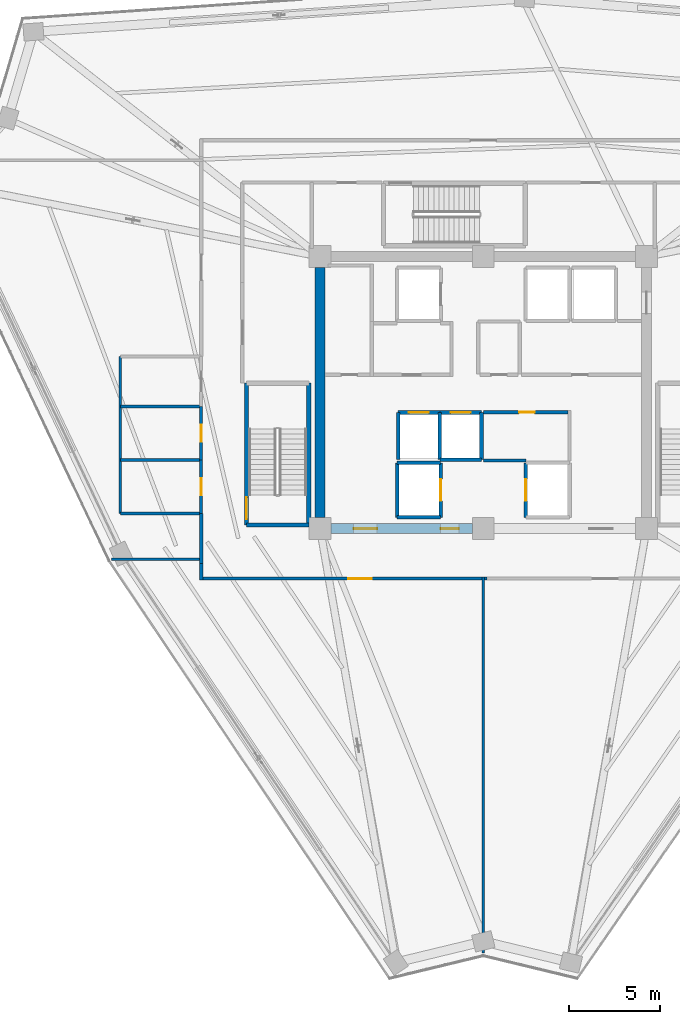
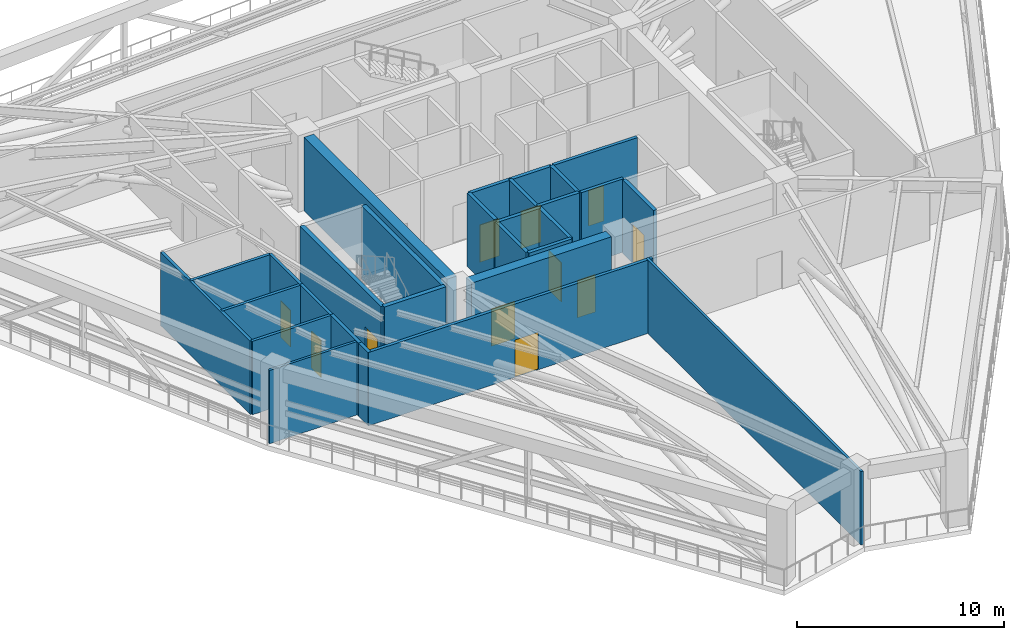
# One storey, part 14 of 22: 29 walls, 11 doors, 11 openings.
"""IFC4 building model written with IfcOpenShell, lengths in metres."""

from ifc_helpers import new_model, si_unit, direction, frame, frame_2d, origin, place, context, subcontext, project, spatial, rectangle, extrude, source, transform, mapped, material, layer, layer_set, type_object, element, fill, save


model = new_model("IFC4")

# Units and contexts
model_context = context("Model", 3, precision=1e-05, world=origin(), true_north=direction((0.0, 1.0)))
body_context = subcontext(model_context, "Body", "Model", "MODEL_VIEW")
ifc_project = project(units=[si_unit("LENGTHUNIT", "METRE"), si_unit("AREAUNIT", "SQUARE_METRE"), si_unit("VOLUMEUNIT", "CUBIC_METRE"), si_unit("PLANEANGLEUNIT", "RADIAN"), si_unit("MASSUNIT", "GRAM", prefix="KILO")], contexts=[model_context])

# Site, building, storey
site_placement = place(None, origin())
site = spatial("IfcSite", under=ifc_project, at=site_placement, CompositionType="ELEMENT")
building_placement = place(site_placement, origin())
building = spatial("IfcBuilding", under=site, at=building_placement, Name="Liaohun Quay Tower", CompositionType="ELEMENT")
storey_placement = place(building_placement, frame((0.0, 0.0, 324.0)))
storey = spatial("IfcBuildingStorey", under=building, at=storey_placement, Name="L84", CompositionType="ELEMENT", Elevation=324.0)

# Wall, openings, doors
ifc_material_1 = material(Name="Concrete C50", Category="concrete")
ifc_layer_1 = layer(ifc_material_1, 0.550048828125, Name="Concrete C50", Category="concrete")
ifc_layer_set_1 = layer_set([ifc_layer_1], Name="Concrete C50")
wall_type_1 = type_object("IfcWallType", Name="WAL-COR-Z4", PredefinedType="SHEAR", material=ifc_layer_set_1)
wall_1_placement = place(storey_placement, frame((59.39990234375, 46.5, 0.0), z_axis=(0.0, 0.0, 1.0), x_axis=(-1.0, 0.0, 0.0)))
wall_1 = element("IfcWall", 1, at=wall_1_placement, inside=storey, type_object=wall_type_1, Name="L84 Central Core Shear Wall S-W", PredefinedType="SHEAR", context=body_context, shape_type="SweptSolid", body=[
    extrude(rectangle(XDim=7.7998046875, YDim=0.550048828125, at=frame_2d((3.89990234375, 0.0))), origin(), (0.0, 0.0, 1.0), 4.320068359375),
])
shared_shape_1 = source(origin(), body_context, "Body", "SweptSolid", [
    extrude(rectangle(XDim=1.300048828125, YDim=2.199951171875, at=frame_2d((0.64990234375, 1.10009765625))), frame((0.0, 0.284912109375, 0.0), z_axis=(0.0, -1.0, 0.0), x_axis=(1.0, 0.0, 0.0)), (0.0, 0.0, 1.0), 0.570068359375),
])
opening_1_placement = place(wall_1_placement, frame((5.25, 0.0, 0.0)))
opening_1 = element("IfcOpeningElement", 2, at=opening_1_placement, cuts=wall_1, Name="Opening FD1", PredefinedType="OPENING", context=body_context, shape_type="MappedRepresentation", body=[
    mapped(shared_shape_1, transform((0.0, 0.0, 0.0), x_axis=(1.0, 0.0, 0.0), y_axis=(0.0, 1.0, 0.0), z_axis=(0.0, 0.0, 1.0), scale=1.0)),
])
shared_shape_2 = source(origin(), body_context, "Body", "SweptSolid", [
    extrude(rectangle(XDim=1.0, YDim=2.199951171875, at=frame_2d((0.5, 1.10009765625))), frame((0.0, 0.284912109375, 0.0), z_axis=(0.0, -1.0, 0.0), x_axis=(1.0, 0.0, 0.0)), (0.0, 0.0, 1.0), 0.570068359375),
])
opening_2_placement = place(wall_1_placement, frame((0.75, 0.0, 0.0)))
opening_2 = element("IfcOpeningElement", 3, at=opening_2_placement, cuts=wall_1, Name="Opening FD2", PredefinedType="OPENING", context=body_context, shape_type="MappedRepresentation", body=[
    mapped(shared_shape_2, transform((0.0, 0.0, 0.0), x_axis=(1.0, 0.0, 0.0), y_axis=(0.0, 1.0, 0.0), z_axis=(0.0, 0.0, 1.0), scale=1.0)),
])
ifc_material_2 = material(Name="Galvanised steel smokeproof fire door", Category="steel")
door_type_1 = type_object("IfcDoorType", Name="DOR-FFL-1300", OperationType="NOTDEFINED", PredefinedType="DOOR", material=ifc_material_2)
shared_shape_3 = source(origin(), body_context, "Body", "SweptSolid", [
    extrude(rectangle(XDim=1.300048828125, YDim=2.199951171875, at=frame_2d((0.64990234375, 1.10009765625))), frame((0.0, 0.02490234375, 0.0), z_axis=(0.0, -1.0, 0.0), x_axis=(1.0, 0.0, 0.0)), (0.0, 0.0, 1.0), 0.050048828125),
])
door_1_placement = place(opening_1_placement, origin())
door_1 = element("IfcDoor", 4, at=door_1_placement, inside=storey, type_object=door_type_1, Name="L84 West Core Lift Lobby Smokeproof Door", OperationType="SINGLE_SWING_RIGHT", OverallHeight=2.199951171875, OverallWidth=1.300048828125, PredefinedType="DOOR", context=body_context, shape_type="MappedRepresentation", body=[
    mapped(shared_shape_3, transform((0.0, 0.0, 0.0), x_axis=(1.0, 0.0, 0.0), y_axis=(0.0, 1.0, 0.0), z_axis=(0.0, 0.0, 1.0), scale=1.0)),
])
fill(opening_1, door_1)
ifc_material_3 = material(Name="Galvanised steel smokeproof lobby fire door", Category="steel")
door_type_2 = type_object("IfcDoorType", Name="DOR-FFL-1000", OperationType="NOTDEFINED", PredefinedType="DOOR", material=ifc_material_3)
shared_shape_4 = source(origin(), body_context, "Body", "SweptSolid", [
    extrude(rectangle(XDim=1.0, YDim=2.199951171875, at=frame_2d((0.5, 1.10009765625))), frame((0.0, 0.02490234375, 0.0), z_axis=(0.0, -1.0, 0.0), x_axis=(1.0, 0.0, 0.0)), (0.0, 0.0, 1.0), 0.050048828125),
])
door_2_placement = place(opening_2_placement, origin())
door_2 = element("IfcDoor", 5, at=door_2_placement, inside=storey, type_object=door_type_2, Name="L84 South Firefighting Lobby Smokeproof Door", OperationType="SINGLE_SWING_LEFT", OverallHeight=2.199951171875, OverallWidth=1.0, PredefinedType="DOOR", context=body_context, shape_type="MappedRepresentation", body=[
    mapped(shared_shape_4, transform((0.0, 0.0, 0.0), x_axis=(1.0, 0.0, 0.0), y_axis=(0.0, 1.0, 0.0), z_axis=(0.0, 0.0, 1.0), scale=1.0)),
])
fill(opening_2, door_2)

# Wall
wall_2_placement = place(storey_placement, frame((51.0, 47.10009765625, 0.0), z_axis=(0.0, 0.0, 1.0), x_axis=(0.0, 1.0, 0.0)))
element("IfcWall", 6, at=wall_2_placement, inside=storey, type_object=wall_type_1, Name="L84 Central Core Shear Wall W", PredefinedType="SHEAR", context=body_context, shape_type="SweptSolid", body=[
    extrude(rectangle(XDim=13.7998046875, YDim=0.550048828125, at=frame_2d((6.89990234375, 0.0))), origin(), (0.0, 0.0, 1.0), 4.320068359375),
])

# Wall, opening, door
ifc_material_4 = material(Name="Autoclaved aerated concrete blockwork", Category="masonry")
ifc_layer_2 = layer(ifc_material_4, 0.179931640625, Name="Autoclaved aerated concrete blockwork", Category="masonry")
ifc_layer_set_2 = layer_set([ifc_layer_2], Name="Autoclaved aerated concrete blockwork")
wall_type_2 = type_object("IfcWallType", Name="WAL-PRT-COR", PredefinedType="PARTITIONING", material=ifc_layer_set_2)
wall_3_placement = place(storey_placement, frame((60.0, 52.919921875, 0.0), z_axis=(0.0, 0.0, 1.0), x_axis=(1.0, 0.0, 0.0)))
wall_3 = element("IfcWall", 7, at=wall_3_placement, inside=storey, type_object=wall_type_2, Name="L84 Interior Partition Wall 001", PredefinedType="PARTITIONING", context=body_context, shape_type="SweptSolid", body=[
    extrude(rectangle(XDim=4.659912109375, YDim=0.179931640625, at=frame_2d((2.330078125, 0.0))), origin(), (0.0, 0.0, 1.0), 4.320068359375),
])
shared_shape_5 = source(origin(), body_context, "Body", "SweptSolid", [
    extrude(rectangle(XDim=0.85009765625, YDim=2.10009765625, at=frame_2d((0.425048828125, 1.050048828125))), frame((0.0, 0.099853515625, 0.0), z_axis=(0.0, -1.0, 0.0), x_axis=(1.0, 0.0, 0.0)), (0.0, 0.0, 1.0), 0.199951171875),
])
opening_3_placement = place(wall_3_placement, frame((1.97509765625, 0.0, 0.0)))
opening_3 = element("IfcOpeningElement", 8, at=opening_3_placement, cuts=wall_3, Name="Opening AD1", PredefinedType="OPENING", context=body_context, shape_type="MappedRepresentation", body=[
    mapped(shared_shape_5, transform((0.0, 0.0, 0.0), x_axis=(1.0, 0.0, 0.0), y_axis=(0.0, 1.0, 0.0), z_axis=(0.0, 0.0, 1.0), scale=1.0)),
])
ifc_material_5 = material(Name="Steel riser inspection fire door", Category="steel")
door_type_3 = type_object("IfcDoorType", Name="DOR-SHF-850", OperationType="NOTDEFINED", PredefinedType="DOOR", material=ifc_material_5)
shared_shape_6 = source(origin(), body_context, "Body", "SweptSolid", [
    extrude(rectangle(XDim=0.85009765625, YDim=2.10009765625, at=frame_2d((0.425048828125, 1.050048828125))), frame((0.0, 0.02490234375, 0.0), z_axis=(0.0, -1.0, 0.0), x_axis=(1.0, 0.0, 0.0)), (0.0, 0.0, 1.0), 0.050048828125),
])
door_3_placement = place(opening_3_placement, origin())
door_3 = element("IfcDoor", 9, at=door_3_placement, inside=storey, type_object=door_type_3, Name="L84 Core High-Zone BMS and Switch Room Door", OperationType="SINGLE_SWING_RIGHT", OverallHeight=2.10009765625, OverallWidth=0.85009765625, PredefinedType="DOOR", context=body_context, shape_type="MappedRepresentation", body=[
    mapped(shared_shape_6, transform((0.0, 0.0, 0.0), x_axis=(1.0, 0.0, 0.0), y_axis=(0.0, 1.0, 0.0), z_axis=(0.0, 0.0, 1.0), scale=1.0)),
])
fill(opening_3, door_3)

wall_4_placement = place(storey_placement, frame((60.215087890625, 43.739990234375, 0.0), z_axis=(0.0, 0.0, 1.0), x_axis=(-1.0, 0.0, 0.0)))
wall_4 = element("IfcWall", 10, at=wall_4_placement, inside=storey, type_object=wall_type_2, Name="L84 Interior Partition Wall 016", PredefinedType="PARTITIONING", context=body_context, shape_type="SweptSolid", body=[
    extrude(rectangle(XDim=15.844970703125, YDim=0.179931640625, at=frame_2d((7.92236328125, 0.0))), origin(), (0.0, 0.0, 1.0), 4.320068359375),
])
shared_shape_7 = source(origin(), body_context, "Body", "SweptSolid", [
    extrude(rectangle(XDim=1.300048828125, YDim=2.199951171875, at=frame_2d((0.64990234375, 1.10009765625))), frame((0.0, 0.099853515625, 0.0), z_axis=(0.0, -1.0, 0.0), x_axis=(1.0, 0.0, 0.0)), (0.0, 0.0, 1.0), 0.199951171875),
])
opening_4_placement = place(wall_4_placement, frame((6.373046875, 0.0, 0.0)))
opening_4 = element("IfcOpeningElement", 11, at=opening_4_placement, cuts=wall_4, Name="Opening FD1", PredefinedType="OPENING", context=body_context, shape_type="MappedRepresentation", body=[
    mapped(shared_shape_7, transform((0.0, 0.0, 0.0), x_axis=(1.0, 0.0, 0.0), y_axis=(0.0, 1.0, 0.0), z_axis=(0.0, 0.0, 1.0), scale=1.0)),
])
door_4_placement = place(opening_4_placement, origin())
door_4 = element("IfcDoor", 12, at=door_4_placement, inside=storey, type_object=door_type_1, Name="L84 North Open-Air Refuge Staging Area Door", OperationType="SINGLE_SWING_LEFT", OverallHeight=2.199951171875, OverallWidth=1.300048828125, PredefinedType="DOOR", context=body_context, shape_type="MappedRepresentation", body=[
    mapped(shared_shape_3, transform((0.0, 0.0, 0.0), x_axis=(1.0, 0.0, 0.0), y_axis=(0.0, 1.0, 0.0), z_axis=(0.0, 0.0, 1.0), scale=1.0)),
])
fill(opening_4, door_4)

# Walls
wall_5_placement = place(storey_placement, frame((44.43994140625, 44.5849609375, 0.0), z_axis=(0.0, 0.0, 1.0), x_axis=(0.0, 1.0, 0.0)))
element("IfcWall", 13, at=wall_5_placement, inside=storey, type_object=wall_type_2, Name="L84 Interior Partition Wall 034", PredefinedType="PARTITIONING", context=body_context, shape_type="SweptSolid", body=[
    extrude(rectangle(XDim=2.755126953125, YDim=0.179931640625, at=frame_2d((1.37744140625, 0.0))), origin(), (0.0, 0.0, 1.0), 4.320068359375),
])
wall_6_placement = place(storey_placement, frame((44.43994140625, 43.669921875, 0.0), z_axis=(0.0, 0.0, 1.0), x_axis=(0.0, 1.0, 0.0)))
element("IfcWall", 14, at=wall_6_placement, inside=storey, type_object=wall_type_2, Name="L84 Interior Partition Wall 035", PredefinedType="PARTITIONING", context=body_context, shape_type="SweptSolid", body=[
    extrude(rectangle(XDim=0.9150390625, YDim=0.179931640625, at=frame_2d((0.45751953125, 0.0))), origin(), (0.0, 0.0, 1.0), 4.320068359375),
])
wall_7_placement = place(storey_placement, frame((60.0, 50.25, 0.0), z_axis=(0.0, 0.0, 1.0), x_axis=(1.0, 0.0, 0.0)))
element("IfcWall", 15, at=wall_7_placement, inside=storey, type_object=wall_type_2, Name="L84 Interior Partition Wall 043", PredefinedType="PARTITIONING", context=body_context, shape_type="SweptSolid", body=[
    extrude(rectangle(XDim=2.35009765625, YDim=0.179931640625, at=frame_2d((1.175048828125, 0.0))), origin(), (0.0, 0.0, 1.0), 4.320068359375),
])
ifc_material_6 = material(Name="Gypsum board on twin steel studs", Category="steel")
ifc_layer_3 = layer(ifc_material_6, 0.139892578125, Name="Gypsum board on twin steel studs", Category="steel")
ifc_layer_set_3 = layer_set([ifc_layer_3], Name="Gypsum board on twin steel studs")
wall_type_3 = type_object("IfcWallType", Name="WAL-PRT-OFF", PredefinedType="PARTITIONING", material=ifc_layer_set_3)
wall_8_placement = place(storey_placement, frame((44.5400390625, 44.800048828125, 0.0), z_axis=(0.0, 0.0, 1.0), x_axis=(-1.0, 0.0, 0.0)))
element("IfcWall", 16, at=wall_8_placement, inside=storey, type_object=wall_type_3, Name="L84 Interior Partition Wall 037", PredefinedType="PARTITIONING", context=body_context, shape_type="SweptSolid", body=[
    extrude(rectangle(XDim=5.053955078125, YDim=0.139892578125, at=frame_2d((2.52685546875, 0.0))), origin(), (0.0, 0.0, 1.0), 4.320068359375),
])
wall_9_placement = place(storey_placement, frame((60.0, 43.840087890625, 0.0), z_axis=(0.0, 0.0, 1.0), x_axis=(0.0, -1.0, 0.0)))
element("IfcWall", 17, at=wall_9_placement, inside=storey, type_object=wall_type_3, Name="L84 Interior Partition Wall 041", PredefinedType="PARTITIONING", context=body_context, shape_type="SweptSolid", body=[
    extrude(rectangle(XDim=20.753173828125, YDim=0.139892578125, at=frame_2d((10.37646484375, 0.0))), origin(), (0.0, 0.0, 1.0), 4.320068359375),
])

# Wall, opening, door
ifc_material_7 = material(Name="Moisture-resistant masonry blockwork", Category="masonry")
ifc_layer_4 = layer(ifc_material_7, 0.159912109375, Name="Moisture-resistant masonry blockwork", Category="masonry")
ifc_layer_set_4 = layer_set([ifc_layer_4], Name="Moisture-resistant masonry blockwork")
wall_type_4 = type_object("IfcWallType", Name="WAL-PRT-WET", PredefinedType="PARTITIONING", material=ifc_layer_set_4)
wall_10_placement = place(storey_placement, frame((44.43994140625, 47.340087890625, 0.0), z_axis=(0.0, 0.0, 1.0), x_axis=(0.0, 1.0, 0.0)))
wall_10 = element("IfcWall", 18, at=wall_10_placement, inside=storey, type_object=wall_type_4, Name="L84 Interior Partition Wall 006", PredefinedType="PARTITIONING", context=body_context, shape_type="SweptSolid", body=[
    extrude(rectangle(XDim=2.93994140625, YDim=0.159912109375, at=frame_2d((1.469970703125, 0.0))), origin(), (0.0, 0.0, 1.0), 4.320068359375),
])
shared_shape_8 = source(origin(), body_context, "Body", "SweptSolid", [
    extrude(rectangle(XDim=0.949951171875, YDim=2.14990234375, at=frame_2d((0.47509765625, 1.074951171875))), frame((0.0, 0.08984375, 0.0), z_axis=(0.0, -1.0, 0.0), x_axis=(1.0, 0.0, 0.0)), (0.0, 0.0, 1.0), 0.179931640625),
])
opening_5_placement = place(wall_10_placement, frame((0.9951171875, 0.0, 0.0)))
opening_5 = element("IfcOpeningElement", 19, at=opening_5_placement, cuts=wall_10, Name="Opening WD1", PredefinedType="OPENING", context=body_context, shape_type="MappedRepresentation", body=[
    mapped(shared_shape_8, transform((0.0, 0.0, 0.0), x_axis=(1.0, 0.0, 0.0), y_axis=(0.0, 1.0, 0.0), z_axis=(0.0, 0.0, 1.0), scale=1.0)),
])
ifc_material_8 = material(Name="Moisture-resistant laminate timber leaf", Category="wood")
door_type_4 = type_object("IfcDoorType", Name="DOR-WC-950", OperationType="NOTDEFINED", PredefinedType="DOOR", material=ifc_material_8)
shared_shape_9 = source(origin(), body_context, "Body", "SweptSolid", [
    extrude(rectangle(XDim=0.949951171875, YDim=2.14990234375, at=frame_2d((0.47509765625, 1.074951171875))), frame((0.0, 0.02490234375, 0.0), z_axis=(0.0, -1.0, 0.0), x_axis=(1.0, 0.0, 0.0)), (0.0, 0.0, 1.0), 0.050048828125),
])
door_5_placement = place(opening_5_placement, origin())
door_5 = element("IfcDoor", 20, at=door_5_placement, inside=storey, type_object=door_type_4, Name="L84 Male Restroom WC Door", OperationType="SINGLE_SWING_LEFT", OverallHeight=2.14990234375, OverallWidth=0.949951171875, PredefinedType="DOOR", context=body_context, shape_type="MappedRepresentation", body=[
    mapped(shared_shape_9, transform((0.0, 0.0, 0.0), x_axis=(1.0, 0.0, 0.0), y_axis=(0.0, 1.0, 0.0), z_axis=(0.0, 0.0, 1.0), scale=1.0)),
])
fill(opening_5, door_5)

wall_11_placement = place(storey_placement, frame((44.43994140625, 50.280029296875, 0.0), z_axis=(0.0, 0.0, 1.0), x_axis=(0.0, 1.0, 0.0)))
wall_11 = element("IfcWall", 21, at=wall_11_placement, inside=storey, type_object=wall_type_4, Name="L84 Interior Partition Wall 007", PredefinedType="PARTITIONING", context=body_context, shape_type="SweptSolid", body=[
    extrude(rectangle(XDim=2.9599609375, YDim=0.159912109375, at=frame_2d((1.47998046875, 0.0))), origin(), (0.0, 0.0, 1.0), 4.320068359375),
])
opening_6_placement = place(wall_11_placement, frame((1.0048828125, 0.0, 0.0)))
opening_6 = element("IfcOpeningElement", 22, at=opening_6_placement, cuts=wall_11, Name="Opening WD1", PredefinedType="OPENING", context=body_context, shape_type="MappedRepresentation", body=[
    mapped(shared_shape_8, transform((0.0, 0.0, 0.0), x_axis=(1.0, 0.0, 0.0), y_axis=(0.0, 1.0, 0.0), z_axis=(0.0, 0.0, 1.0), scale=1.0)),
])
door_6_placement = place(opening_6_placement, origin())
door_6 = element("IfcDoor", 23, at=door_6_placement, inside=storey, type_object=door_type_4, Name="L84 Female Restroom WC Door", OperationType="SINGLE_SWING_RIGHT", OverallHeight=2.14990234375, OverallWidth=0.949951171875, PredefinedType="DOOR", context=body_context, shape_type="MappedRepresentation", body=[
    mapped(shared_shape_9, transform((0.0, 0.0, 0.0), x_axis=(1.0, 0.0, 0.0), y_axis=(0.0, 1.0, 0.0), z_axis=(0.0, 0.0, 1.0), scale=1.0)),
])
fill(opening_6, door_6)

# Walls
wall_12_placement = place(storey_placement, frame((39.97998046875, 47.340087890625, 0.0), z_axis=(0.0, 0.0, 1.0), x_axis=(0.0, 1.0, 0.0)))
element("IfcWall", 24, at=wall_12_placement, inside=storey, type_object=wall_type_4, Name="L84 Interior Partition Wall 021", PredefinedType="PARTITIONING", context=body_context, shape_type="SweptSolid", body=[
    extrude(rectangle(XDim=8.639892578125, YDim=0.159912109375, at=frame_2d((4.31982421875, 0.0))), origin(), (0.0, 0.0, 1.0), 4.320068359375),
])
for number, where, z_axis, x_axis, name in (
    (25, (39.97998046875, 47.340087890625, 0.0), (0.0, 0.0, 1.0), (1.0, 0.0, 0.0), "L84 Interior Partition Wall 022"),
    (26, (39.97998046875, 50.280029296875, 0.0), (0.0, 0.0, 1.0), (1.0, 0.0, 0.0), "L84 Interior Partition Wall 023"),
    (27, (39.97998046875, 53.239990234375, 0.0), (0.0, 0.0, 1.0), (1.0, 0.0, 0.0), "L84 Interior Partition Wall 024"),
):
    element("IfcWall", number, at=place(storey_placement, frame(where, z_axis=z_axis, x_axis=x_axis)), inside=storey, type_object=wall_type_4, Name=name, PredefinedType="PARTITIONING", context=body_context, shape_type="SweptSolid", body=[
        extrude(rectangle(XDim=4.4599609375, YDim=0.159912109375, at=frame_2d((2.22998046875, 0.0))), origin(), (0.0, 0.0, 1.0), 4.320068359375),
    ])
ifc_layer_5 = layer(ifc_material_1, 0.239990234375, Name="Concrete C50", Category="concrete")
ifc_layer_set_5 = layer_set([ifc_layer_5], Name="Concrete C50")
wall_type_5 = type_object("IfcWallType", Name="WAL-SHF-200", PredefinedType="SOLIDWALL", material=ifc_layer_set_5)
wall_13_placement = place(storey_placement, frame((46.93994140625, 46.699951171875, 0.0), z_axis=(0.0, 0.0, 1.0), x_axis=(1.0, 0.0, 0.0)))
element("IfcWall", 28, at=wall_13_placement, inside=storey, type_object=wall_type_5, Name="L84 Stairwell ST-1 Structural Core Wall S", PredefinedType="SOLIDWALL", context=body_context, shape_type="SweptSolid", body=[
    extrude(rectangle(XDim=3.43994140625, YDim=0.239990234375, at=frame_2d((1.719970703125, 0.0))), origin(), (0.0, 0.0, 1.0), 4.320068359375),
])
wall_14_placement = place(storey_placement, frame((50.3798828125, 46.699951171875, 0.0), z_axis=(0.0, 0.0, 1.0), x_axis=(0.0, 1.0, 0.0)))
element("IfcWall", 29, at=wall_14_placement, inside=storey, type_object=wall_type_5, Name="L84 Stairwell ST-1 Structural Core Wall E", PredefinedType="SOLIDWALL", context=body_context, shape_type="SweptSolid", body=[
    extrude(rectangle(XDim=7.820068359375, YDim=0.239990234375, at=frame_2d((3.91015625, 0.0))), origin(), (0.0, 0.0, 1.0), 4.320068359375),
])

# Wall, opening, door
wall_15_placement = place(storey_placement, frame((46.93994140625, 54.52001953125, 0.0), z_axis=(0.0, 0.0, 1.0), x_axis=(0.0, -1.0, 0.0)))
wall_15 = element("IfcWall", 30, at=wall_15_placement, inside=storey, type_object=wall_type_5, Name="L84 Stairwell ST-1 Structural Core Wall W", PredefinedType="SOLIDWALL", context=body_context, shape_type="SweptSolid", body=[
    extrude(rectangle(XDim=7.820068359375, YDim=0.239990234375, at=frame_2d((3.91015625, 0.0))), origin(), (0.0, 0.0, 1.0), 4.320068359375),
])
shared_shape_10 = source(origin(), body_context, "Body", "SweptSolid", [
    extrude(rectangle(XDim=1.199951171875, YDim=2.199951171875, at=frame_2d((0.60009765625, 1.10009765625))), frame((0.0, 0.1298828125, 0.0), z_axis=(0.0, -1.0, 0.0), x_axis=(1.0, 0.0, 0.0)), (0.0, 0.0, 1.0), 0.260009765625),
])
opening_7_placement = place(wall_15_placement, frame((6.300048828125, 0.0, 0.0)))
opening_7 = element("IfcOpeningElement", 31, at=opening_7_placement, cuts=wall_15, Name="Opening SD1", PredefinedType="OPENING", context=body_context, shape_type="MappedRepresentation", body=[
    mapped(shared_shape_10, transform((0.0, 0.0, 0.0), x_axis=(1.0, 0.0, 0.0), y_axis=(0.0, 1.0, 0.0), z_axis=(0.0, 0.0, 1.0), scale=1.0)),
])
ifc_material_9 = material(Name="Galvanised steel fire door", Category="steel")
door_type_5 = type_object("IfcDoorType", Name="DOR-STR-1200", OperationType="NOTDEFINED", PredefinedType="DOOR", material=ifc_material_9)
shared_shape_11 = source(origin(), body_context, "Body", "SweptSolid", [
    extrude(rectangle(XDim=1.199951171875, YDim=2.199951171875, at=frame_2d((0.60009765625, 1.10009765625))), frame((0.0, 0.02490234375, 0.0), z_axis=(0.0, -1.0, 0.0), x_axis=(1.0, 0.0, 0.0)), (0.0, 0.0, 1.0), 0.050048828125),
])
door_7_placement = place(opening_7_placement, origin())
door_7 = element("IfcDoor", 32, at=door_7_placement, inside=storey, type_object=door_type_5, Name="L84 Protected Stair ST-1 Fire Door", OperationType="SINGLE_SWING_LEFT", OverallHeight=2.199951171875, OverallWidth=1.199951171875, PredefinedType="DOOR", context=body_context, shape_type="MappedRepresentation", body=[
    mapped(shared_shape_11, transform((0.0, 0.0, 0.0), x_axis=(1.0, 0.0, 0.0), y_axis=(0.0, 1.0, 0.0), z_axis=(0.0, 0.0, 1.0), scale=1.0)),
])
fill(opening_7, door_7)

# Wall
wall_16_placement = place(storey_placement, frame((55.25, 47.1201171875, 0.0), z_axis=(0.0, 0.0, 1.0), x_axis=(1.0, 0.0, 0.0)))
element("IfcWall", 33, at=wall_16_placement, inside=storey, type_object=wall_type_5, Name="L84 Lift FF-01 Hoistway Wall S", PredefinedType="SOLIDWALL", context=body_context, shape_type="SweptSolid", body=[
    extrude(rectangle(XDim=2.39990234375, YDim=0.199951171875, at=frame_2d((1.199951171875, 0.0))), origin(), (0.0, 0.0, 1.0), 4.320068359375),
])

# Wall, opening, door
wall_17_placement = place(storey_placement, frame((57.64990234375, 47.1201171875, 0.0), z_axis=(0.0, 0.0, 1.0), x_axis=(0.0, 1.0, 0.0)))
wall_17 = element("IfcWall", 34, at=wall_17_placement, inside=storey, type_object=wall_type_5, Name="L84 Lift FF-01 Hoistway Wall E", PredefinedType="SOLIDWALL", context=body_context, shape_type="SweptSolid", body=[
    extrude(rectangle(XDim=3.0, YDim=0.199951171875, at=frame_2d((1.5, 0.0))), origin(), (0.0, 0.0, 1.0), 4.320068359375),
])
shared_shape_12 = source(origin(), body_context, "Body", "SweptSolid", [
    extrude(rectangle(XDim=1.199951171875, YDim=2.300048828125, at=frame_2d((0.60009765625, 1.14990234375))), frame((0.0, 0.10986328125, 0.0), z_axis=(0.0, -1.0, 0.0), x_axis=(1.0, 0.0, 0.0)), (0.0, 0.0, 1.0), 0.219970703125),
])
opening_8_placement = place(wall_17_placement, frame((0.89990234375, 0.0, 0.0)))
opening_8 = element("IfcOpeningElement", 35, at=opening_8_placement, cuts=wall_17, Name="Opening LD2", PredefinedType="OPENING", context=body_context, shape_type="MappedRepresentation", body=[
    mapped(shared_shape_12, transform((0.0, 0.0, 0.0), x_axis=(1.0, 0.0, 0.0), y_axis=(0.0, 1.0, 0.0), z_axis=(0.0, 0.0, 1.0), scale=1.0)),
])
ifc_material_10 = material(Name="Brushed stainless steel stretcher landing door", Category="steel")
door_type_6 = type_object("IfcDoorType", Name="DOR-LFT-1200", OperationType="SLIDING_TO_LEFT", PredefinedType="DOOR", material=ifc_material_10)
shared_shape_13 = source(origin(), body_context, "Body", "SweptSolid", [
    extrude(rectangle(XDim=1.199951171875, YDim=2.300048828125, at=frame_2d((0.60009765625, 1.14990234375))), frame((0.0, 0.02490234375, 0.0), z_axis=(0.0, -1.0, 0.0), x_axis=(1.0, 0.0, 0.0)), (0.0, 0.0, 1.0), 0.050048828125),
])
door_8_placement = place(opening_8_placement, origin())
door_8 = element("IfcDoor", 36, at=door_8_placement, inside=storey, type_object=door_type_6, Name="L84 Lift FF-01 Sliding Landing Door", OperationType="SLIDING_TO_LEFT", OverallHeight=2.300048828125, OverallWidth=1.199951171875, PredefinedType="DOOR", context=body_context, shape_type="MappedRepresentation", body=[
    mapped(shared_shape_13, transform((0.0, 0.0, 0.0), x_axis=(1.0, 0.0, 0.0), y_axis=(0.0, 1.0, 0.0), z_axis=(0.0, 0.0, 1.0), scale=1.0)),
])
fill(opening_8, door_8)

# Walls
wall_18_placement = place(storey_placement, frame((57.64990234375, 50.1201171875, 0.0), z_axis=(0.0, 0.0, 1.0), x_axis=(-1.0, 0.0, 0.0)))
element("IfcWall", 37, at=wall_18_placement, inside=storey, type_object=wall_type_5, Name="L84 Lift FF-01 Hoistway Wall N", PredefinedType="SOLIDWALL", context=body_context, shape_type="SweptSolid", body=[
    extrude(rectangle(XDim=2.39990234375, YDim=0.199951171875, at=frame_2d((1.199951171875, 0.0))), origin(), (0.0, 0.0, 1.0), 4.320068359375),
])
wall_19_placement = place(storey_placement, frame((55.25, 50.1201171875, 0.0), z_axis=(0.0, 0.0, 1.0), x_axis=(0.0, -1.0, 0.0)))
element("IfcWall", 38, at=wall_19_placement, inside=storey, type_object=wall_type_5, Name="L84 Lift FF-01 Hoistway Wall W", PredefinedType="SOLIDWALL", context=body_context, shape_type="SweptSolid", body=[
    extrude(rectangle(XDim=3.0, YDim=0.199951171875, at=frame_2d((1.5, 0.0))), origin(), (0.0, 0.0, 1.0), 4.320068359375),
])

# Wall, opening, door
wall_20_placement = place(storey_placement, frame((62.35009765625, 50.1201171875, 0.0), z_axis=(0.0, 0.0, 1.0), x_axis=(0.0, -1.0, 0.0)))
wall_20 = element("IfcWall", 39, at=wall_20_placement, inside=storey, type_object=wall_type_5, Name="L84 Lift FF-02 Hoistway Wall W", PredefinedType="SOLIDWALL", context=body_context, shape_type="SweptSolid", body=[
    extrude(rectangle(XDim=3.0, YDim=0.199951171875, at=frame_2d((1.5, 0.0))), origin(), (0.0, 0.0, 1.0), 4.320068359375),
])
opening_9_placement = place(wall_20_placement, frame((0.89990234375, 0.0, 0.0)))
opening_9 = element("IfcOpeningElement", 40, at=opening_9_placement, cuts=wall_20, Name="Opening LD2", PredefinedType="OPENING", context=body_context, shape_type="MappedRepresentation", body=[
    mapped(shared_shape_12, transform((0.0, 0.0, 0.0), x_axis=(1.0, 0.0, 0.0), y_axis=(0.0, 1.0, 0.0), z_axis=(0.0, 0.0, 1.0), scale=1.0)),
])
door_9_placement = place(opening_9_placement, origin())
door_9 = element("IfcDoor", 41, at=door_9_placement, inside=storey, type_object=door_type_6, Name="L84 Lift FF-02 Sliding Landing Door", OperationType="SLIDING_TO_LEFT", OverallHeight=2.300048828125, OverallWidth=1.199951171875, PredefinedType="DOOR", context=body_context, shape_type="MappedRepresentation", body=[
    mapped(shared_shape_13, transform((0.0, 0.0, 0.0), x_axis=(1.0, 0.0, 0.0), y_axis=(0.0, 1.0, 0.0), z_axis=(0.0, 0.0, 1.0), scale=1.0)),
])
fill(opening_9, door_9)

# Wall
wall_21_placement = place(storey_placement, frame((57.60009765625, 50.300048828125, 0.0), z_axis=(0.0, 0.0, 1.0), x_axis=(0.0, 1.0, 0.0)))
element("IfcWall", 42, at=wall_21_placement, inside=storey, type_object=wall_type_5, Name="L84 Lift PL-4A Hoistway Wall E", PredefinedType="SOLIDWALL", context=body_context, shape_type="SweptSolid", body=[
    extrude(rectangle(XDim=2.599853515625, YDim=0.199951171875, at=frame_2d((1.2998046875, 0.0))), origin(), (0.0, 0.0, 1.0), 4.320068359375),
])

# Wall, opening, door
wall_22_placement = place(storey_placement, frame((57.60009765625, 52.89990234375, 0.0), z_axis=(0.0, 0.0, 1.0), x_axis=(-1.0, 0.0, 0.0)))
wall_22 = element("IfcWall", 43, at=wall_22_placement, inside=storey, type_object=wall_type_5, Name="L84 Lift PL-4A Hoistway Wall N", PredefinedType="SOLIDWALL", context=body_context, shape_type="SweptSolid", body=[
    extrude(rectangle(XDim=2.300048828125, YDim=0.199951171875, at=frame_2d((1.14990234375, 0.0))), origin(), (0.0, 0.0, 1.0), 4.320068359375),
])
shared_shape_14 = source(origin(), body_context, "Body", "SweptSolid", [
    extrude(rectangle(XDim=1.10009765625, YDim=2.199951171875, at=frame_2d((0.550048828125, 1.10009765625))), frame((0.0, 0.10986328125, 0.0), z_axis=(0.0, -1.0, 0.0), x_axis=(1.0, 0.0, 0.0)), (0.0, 0.0, 1.0), 0.219970703125),
])
opening_10_placement = place(wall_22_placement, frame((0.60009765625, 0.0, 0.0)))
opening_10 = element("IfcOpeningElement", 44, at=opening_10_placement, cuts=wall_22, Name="Opening LD1", PredefinedType="OPENING", context=body_context, shape_type="MappedRepresentation", body=[
    mapped(shared_shape_14, transform((0.0, 0.0, 0.0), x_axis=(1.0, 0.0, 0.0), y_axis=(0.0, 1.0, 0.0), z_axis=(0.0, 0.0, 1.0), scale=1.0)),
])
ifc_material_11 = material(Name="Brushed stainless steel landing door", Category="steel")
door_type_7 = type_object("IfcDoorType", Name="DOR-LFT-1100", OperationType="SLIDING_TO_LEFT", PredefinedType="DOOR", material=ifc_material_11)
shared_shape_15 = source(origin(), body_context, "Body", "SweptSolid", [
    extrude(rectangle(XDim=1.10009765625, YDim=2.199951171875, at=frame_2d((0.550048828125, 1.10009765625))), frame((0.0, 0.02490234375, 0.0), z_axis=(0.0, -1.0, 0.0), x_axis=(1.0, 0.0, 0.0)), (0.0, 0.0, 1.0), 0.050048828125),
])
door_10_placement = place(opening_10_placement, origin())
door_10 = element("IfcDoor", 45, at=door_10_placement, inside=storey, type_object=door_type_7, Name="L84 Lift PL-4A Sliding Landing Door", OperationType="SLIDING_TO_LEFT", OverallHeight=2.199951171875, OverallWidth=1.10009765625, PredefinedType="DOOR", context=body_context, shape_type="MappedRepresentation", body=[
    mapped(shared_shape_15, transform((0.0, 0.0, 0.0), x_axis=(1.0, 0.0, 0.0), y_axis=(0.0, 1.0, 0.0), z_axis=(0.0, 0.0, 1.0), scale=1.0)),
])
fill(opening_10, door_10)

# Walls
wall_23_placement = place(storey_placement, frame((55.300048828125, 52.89990234375, 0.0), z_axis=(0.0, 0.0, 1.0), x_axis=(0.0, -1.0, 0.0)))
element("IfcWall", 46, at=wall_23_placement, inside=storey, type_object=wall_type_5, Name="L84 Lift PL-4A Hoistway Wall W", PredefinedType="SOLIDWALL", context=body_context, shape_type="SweptSolid", body=[
    extrude(rectangle(XDim=2.599853515625, YDim=0.199951171875, at=frame_2d((1.2998046875, 0.0))), origin(), (0.0, 0.0, 1.0), 4.320068359375),
])
wall_24_placement = place(storey_placement, frame((57.60009765625, 50.300048828125, 0.0), z_axis=(0.0, 0.0, 1.0), x_axis=(1.0, 0.0, 0.0)))
element("IfcWall", 47, at=wall_24_placement, inside=storey, type_object=wall_type_5, Name="L84 Lift PL-4B Hoistway Wall S", PredefinedType="SOLIDWALL", context=body_context, shape_type="SweptSolid", body=[
    extrude(rectangle(XDim=2.2998046875, YDim=0.199951171875, at=frame_2d((1.14990234375, 0.0))), origin(), (0.0, 0.0, 1.0), 4.320068359375),
])
wall_25_placement = place(storey_placement, frame((59.89990234375, 50.300048828125, 0.0), z_axis=(0.0, 0.0, 1.0), x_axis=(0.0, 1.0, 0.0)))
element("IfcWall", 48, at=wall_25_placement, inside=storey, type_object=wall_type_5, Name="L84 Lift PL-4B Hoistway Wall E", PredefinedType="SOLIDWALL", context=body_context, shape_type="SweptSolid", body=[
    extrude(rectangle(XDim=2.599853515625, YDim=0.199951171875, at=frame_2d((1.2998046875, 0.0))), origin(), (0.0, 0.0, 1.0), 4.320068359375),
])

# Wall, opening, door
wall_26_placement = place(storey_placement, frame((59.89990234375, 52.89990234375, 0.0), z_axis=(0.0, 0.0, 1.0), x_axis=(-1.0, 0.0, 0.0)))
wall_26 = element("IfcWall", 49, at=wall_26_placement, inside=storey, type_object=wall_type_5, Name="L84 Lift PL-4B Hoistway Wall N", PredefinedType="SOLIDWALL", context=body_context, shape_type="SweptSolid", body=[
    extrude(rectangle(XDim=2.2998046875, YDim=0.199951171875, at=frame_2d((1.14990234375, 0.0))), origin(), (0.0, 0.0, 1.0), 4.320068359375),
])
opening_11_placement = place(wall_26_placement, frame((0.60009765625, 0.0, 0.0)))
opening_11 = element("IfcOpeningElement", 50, at=opening_11_placement, cuts=wall_26, Name="Opening LD1", PredefinedType="OPENING", context=body_context, shape_type="MappedRepresentation", body=[
    mapped(shared_shape_14, transform((0.0, 0.0, 0.0), x_axis=(1.0, 0.0, 0.0), y_axis=(0.0, 1.0, 0.0), z_axis=(0.0, 0.0, 1.0), scale=1.0)),
])
door_11_placement = place(opening_11_placement, origin())
door_11 = element("IfcDoor", 51, at=door_11_placement, inside=storey, type_object=door_type_7, Name="L84 Lift PL-4B Sliding Landing Door", OperationType="SLIDING_TO_LEFT", OverallHeight=2.199951171875, OverallWidth=1.10009765625, PredefinedType="DOOR", context=body_context, shape_type="MappedRepresentation", body=[
    mapped(shared_shape_15, transform((0.0, 0.0, 0.0), x_axis=(1.0, 0.0, 0.0), y_axis=(0.0, 1.0, 0.0), z_axis=(0.0, 0.0, 1.0), scale=1.0)),
])
fill(opening_11, door_11)

save(model, "model.ifc")
